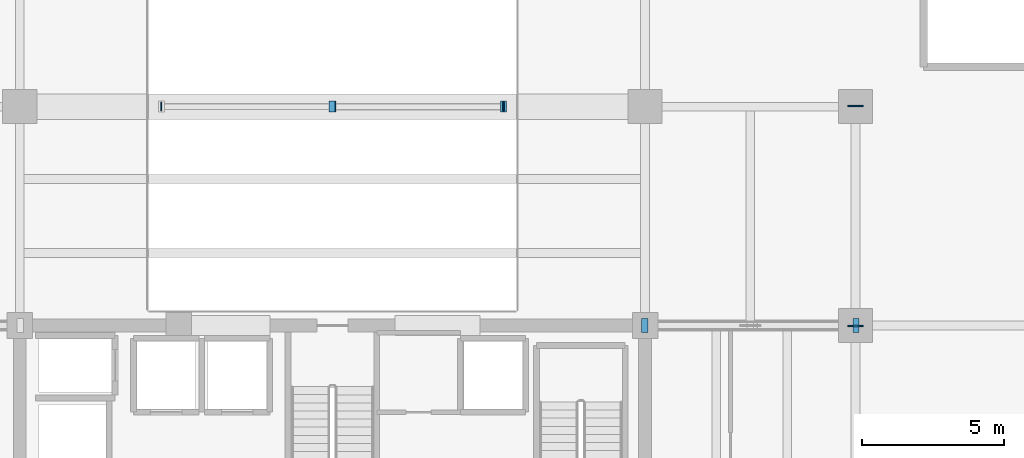
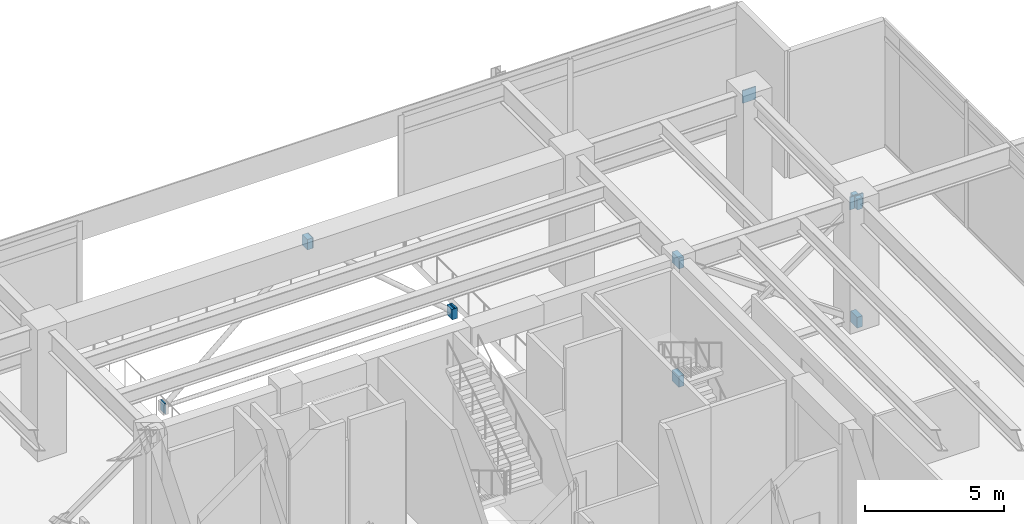
# One storey, part 21 of 26: 11 plates.
"""IFC4 building model written with IfcOpenShell, lengths in metres."""

from ifc_helpers import new_model, si_unit, direction, frame, origin, origin_2d, place, context, subcontext, project, spatial, rectangle, extrude, material, layer, layer_set, type_object, element, save


model = new_model("IFC4")

# Units and contexts
model_context = context("Model", 3, precision=1e-05, world=origin(), true_north=direction((0.0, 1.0)))
body_context = subcontext(model_context, "Body", "Model", "MODEL_VIEW")
ifc_project = project(units=[si_unit("LENGTHUNIT", "METRE"), si_unit("AREAUNIT", "SQUARE_METRE"), si_unit("VOLUMEUNIT", "CUBIC_METRE"), si_unit("PLANEANGLEUNIT", "RADIAN"), si_unit("MASSUNIT", "GRAM", prefix="KILO")], contexts=[model_context])

# Site, building, storey
site_placement = place(None, origin())
site = spatial("IfcSite", under=ifc_project, at=site_placement, CompositionType="ELEMENT")
building_placement = place(site_placement, origin())
building = spatial("IfcBuilding", under=site, at=building_placement, Name="Kovane Verandah Tower", CompositionType="ELEMENT")
storey_placement = place(building_placement, frame((0.0, 0.0, 301.0)))
storey = spatial("IfcBuildingStorey", under=building, at=storey_placement, Name="L70", CompositionType="ELEMENT", Elevation=301.0)

# Plates
ifc_material = material(Name="Steel S460", Category="steel")
ifc_layer = layer(ifc_material, 0.050048828125)
ifc_layer_set = layer_set([ifc_layer], Name="Steel S460")
plate_type = type_object("IfcPlateType", Name="PL-CAP-50", PredefinedType="SHEET", material=ifc_layer_set)
for number, where, z_axis, x_axis, name in (
    (1, (50.983642578125, 36.5, -0.131591796875), (0.0, 0.0, 1.0), (1.0, 0.0, 0.0), "OT-D1-OE2-L70-P0"),
    (2, (58.41650390625, 36.5, 5.076416015625), (0.0, 0.0, 1.0), (1.0, 0.0, 0.0), "OT-D1-OE2-L70-P1"),
    (3, (58.41650390625, 36.5, -0.131591796875), (0.0, 0.0, 1.0), (-1.0, 0.0, 0.0), "OT-D2A-OE2-L70-P0"),
    (4, (50.983642578125, 36.5, 5.076416015625), (0.0, 0.0, 1.0), (-1.0, 0.0, 0.0), "OT-D2B-OE2-L70-P1"),
):
    element("IfcPlate", number, at=place(storey_placement, frame(where, z_axis=z_axis, x_axis=x_axis)), inside=storey, type_object=plate_type, Name=name, PredefinedType="SHEET", context=body_context, shape_type="SweptSolid", body=[
        extrude(rectangle(XDim=0.219970703125, YDim=0.47998046875, at=origin_2d()), origin(), (0.0, 0.0, 1.0), 0.47998046875),
    ])
for number, where, z_axis, x_axis, name in (
    (5, (58.39990234375, 36.47998046875, 5.02490234375), (0.0, 0.0, 1.0), (0.0, 1.0, 0.0), "BT-CH-BE2-L70-P0"),
    (6, (58.39990234375, 44.219970703125, 5.02490234375), (0.0, 0.0, 1.0), (0.0, 1.0, 0.0), "BT-CH-BE2-L70-P1"),
):
    element("IfcPlate", number, at=place(storey_placement, frame(where, z_axis=z_axis, x_axis=x_axis)), inside=storey, type_object=plate_type, Name=name, PredefinedType="SHEET", context=body_context, shape_type="SweptSolid", body=[
        extrude(rectangle(XDim=0.050048828125, YDim=0.56005859375, at=origin_2d()), origin(), (0.0, 0.0, 1.0), 0.56005859375),
    ])
for number, where, z_axis, x_axis, name in (
    (7, (40.01513671875, 44.199951171875, 5.068115234375), (0.0, 0.0, 1.0), (1.0, 0.0, 0.0), "WP-ST1A-L70-P1"),
    (8, (46.01513671875, 44.199951171875, -0.123046875), (0.0, 0.0, 1.0), (-1.0, 0.0, 0.0), "WP-ST1B-L70-P0"),
    (9, (39.98486328125, 44.199951171875, 5.068115234375), (0.0, 0.0, 1.0), (-1.0, 0.0, 0.0), "WP-ST1B-L70-P1"),
):
    element("IfcPlate", number, at=place(storey_placement, frame(where, z_axis=z_axis, x_axis=x_axis)), inside=storey, type_object=plate_type, Name=name, PredefinedType="SHEET", context=body_context, shape_type="SweptSolid", body=[
        extrude(rectangle(XDim=0.219970703125, YDim=0.3798828125, at=origin_2d()), origin(), (0.0, 0.0, 1.0), 0.4599609375),
    ])
for number, where, z_axis, x_axis, name in (
    (10, (33.97998046875, 44.199951171875, -0.10986328125), (0.0, 0.0, 1.0), (1.0, 0.0, 0.0), "WP-TIE-N-L70-P0"),
    (11, (46.02001953125, 44.199951171875, -0.10986328125), (0.0, 0.0, 1.0), (1.0, 0.0, 0.0), "WP-TIE-N-L70-P1"),
):
    element("IfcPlate", number, at=place(storey_placement, frame(where, z_axis=z_axis, x_axis=x_axis)), inside=storey, type_object=plate_type, Name=name, PredefinedType="SHEET", context=body_context, shape_type="SweptSolid", body=[
        extrude(rectangle(XDim=0.050048828125, YDim=0.300048828125, at=origin_2d()), origin(), (0.0, 0.0, 1.0), 0.4599609375),
    ])

save(model, "model.ifc")
